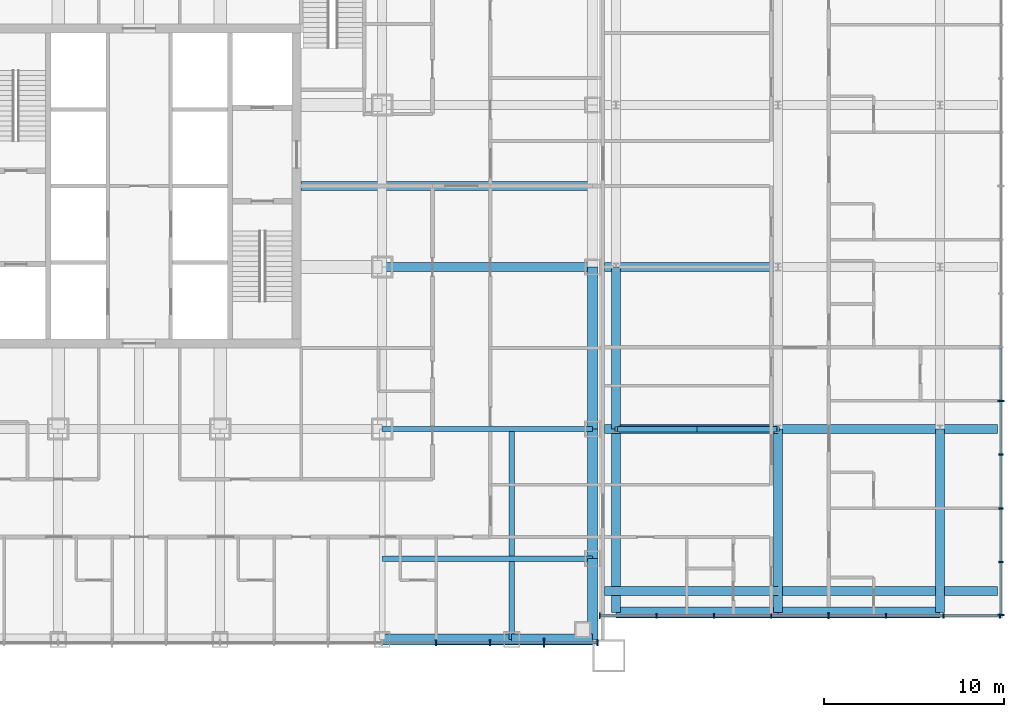
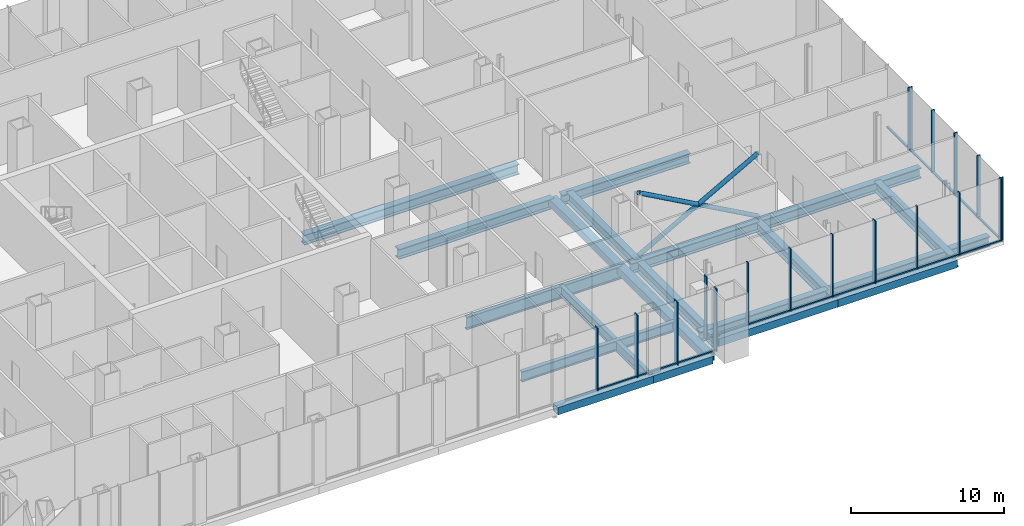
# One storey, part 10 of 28: 34 members, 21 beams, 3 elements without a shape of their own.
"""IFC4 building model written with IfcOpenShell, lengths in metres."""

from ifc_helpers import new_model, si_unit, direction, frame, origin, origin_2d, place, context, subcontext, project, spatial, rectangle, hollow_rectangle, hollow_circle, i_section, extrude, material, layer, layer_set, material_profile, profile_set, type_object, element, aggregate, save


model = new_model("IFC4")

# Units and contexts
model_context = context("Model", 3, precision=1e-05, world=origin(), true_north=direction((0.0, 1.0)))
body_context = subcontext(model_context, "Body", "Model", "MODEL_VIEW")
ifc_project = project(units=[si_unit("LENGTHUNIT", "METRE"), si_unit("AREAUNIT", "SQUARE_METRE"), si_unit("VOLUMEUNIT", "CUBIC_METRE"), si_unit("PLANEANGLEUNIT", "RADIAN"), si_unit("MASSUNIT", "GRAM", prefix="KILO")], contexts=[model_context])

# Site, building, storey
site_placement = place(None, origin())
site = spatial("IfcSite", under=ifc_project, at=site_placement, CompositionType="ELEMENT")
building_placement = place(site_placement, origin())
building = spatial("IfcBuilding", under=site, at=building_placement, Name="Malebo Sky Hospital", CompositionType="ELEMENT")
storey_placement = place(building_placement, frame((0.0, 0.0, 21.0)))
storey = spatial("IfcBuildingStorey", under=building, at=storey_placement, Name="L04", CompositionType="ELEMENT", Elevation=21.0)

# Curtain wall, members
ifc_material_1 = material(Name="Anodised aluminium, natural silver", Category="aluminium")
ifc_layer_1 = layer(ifc_material_1, 0.25)
ifc_layer_set_1 = layer_set([ifc_layer_1], Name="PODIUM ENTRANCE BAY CURTAIN WALL")
curtain_wall_type_1 = type_object("IfcCurtainWallType", Name="PODIUM ENTRANCE BAY CURTAIN WALL", PredefinedType="NOTDEFINED", material=ifc_layer_set_1)
curtain_wall_1_placement = place(storey_placement, origin())
curtain_wall_1 = element("IfcCurtainWall", 1, at=curtain_wall_1_placement, inside=storey, type_object=curtain_wall_type_1, Name="BAY curtain wall BS", PredefinedType="NOTDEFINED")
ifc_material_profile_1 = material_profile(ifc_material_1, rectangle(XDim=0.14990234375, YDim=0.10009765625, at=origin_2d()), Name="ALUMINIUM TRANSOM 150x100")
ifc_profile_set_1 = profile_set([ifc_material_profile_1], Name="Anodised aluminium, natural silver")
member_type_1 = type_object("IfcMemberType", Name="ALUMINIUM TRANSOM 150x100", PredefinedType="USERDEFINED", material=ifc_profile_set_1)
member_1_placement = place(storey_placement, frame((76.53759765625, 36.625, 0.050048828125), z_axis=(1.0, 0.0, 0.0), x_axis=(0.0, 1.0, 0.0)))
member_1 = element("IfcMember", 2, at=member_1_placement, type_object=member_type_1, Name="Transom 15", ObjectType="TRANSOM", PredefinedType="USERDEFINED", context=body_context, shape_type="SweptSolid", body=[
    extrude(rectangle(XDim=0.14990234375, YDim=0.10009765625, at=origin_2d()), origin(), (0.0, 0.0, 1.0), 2.9248046875),
])
member_2_placement = place(storey_placement, frame((79.53759765625, 36.625, 0.050048828125), z_axis=(1.0, 0.0, 0.0), x_axis=(0.0, 1.0, 0.0)))
member_2 = element("IfcMember", 3, at=member_2_placement, type_object=member_type_1, Name="Transom 16", ObjectType="TRANSOM", PredefinedType="USERDEFINED", context=body_context, shape_type="SweptSolid", body=[
    extrude(rectangle(XDim=0.14990234375, YDim=0.10009765625, at=origin_2d()), origin(), (0.0, 0.0, 1.0), 2.9248046875),
])
member_3_placement = place(storey_placement, frame((82.53759765625, 36.625, 0.050048828125), z_axis=(1.0, 0.0, 0.0), x_axis=(0.0, 1.0, 0.0)))
member_3 = element("IfcMember", 4, at=member_3_placement, type_object=member_type_1, Name="Transom 17", ObjectType="TRANSOM", PredefinedType="USERDEFINED", context=body_context, shape_type="SweptSolid", body=[
    extrude(rectangle(XDim=0.14990234375, YDim=0.10009765625, at=origin_2d()), origin(), (0.0, 0.0, 1.0), 2.887451171875),
])

ifc_layer_2 = layer(ifc_material_1, 0.25)
ifc_layer_set_2 = layer_set([ifc_layer_2], Name="PODIUM CURTAIN WALL")
curtain_wall_type_2 = type_object("IfcCurtainWallType", Name="PODIUM CURTAIN WALL", PredefinedType="NOTDEFINED", material=ifc_layer_set_2)
curtain_wall_2_placement = place(storey_placement, origin())
curtain_wall_2 = element("IfcCurtainWall", 5, at=curtain_wall_2_placement, inside=storey, type_object=curtain_wall_type_2, Name="POD curtain wall ES", PredefinedType="NOTDEFINED")
member_4_placement = place(storey_placement, frame((85.625, 38.125, 0.050048828125), z_axis=(1.0, 0.0, 0.0), x_axis=(0.0, 1.0, 0.0)))
member_4 = element("IfcMember", 6, at=member_4_placement, type_object=member_type_1, Name="Transom 1", ObjectType="TRANSOM", PredefinedType="USERDEFINED", context=body_context, shape_type="SweptSolid", body=[
    extrude(rectangle(XDim=0.14990234375, YDim=0.10009765625, at=origin_2d()), origin(), (0.0, 0.0, 1.0), 3.076904296875),
])
member_5_placement = place(storey_placement, frame((88.77685546875, 38.125, 0.050048828125), z_axis=(1.0, 0.0, 0.0), x_axis=(0.0, 1.0, 0.0)))
member_5 = element("IfcMember", 7, at=member_5_placement, type_object=member_type_1, Name="Transom 2", ObjectType="TRANSOM", PredefinedType="USERDEFINED", context=body_context, shape_type="SweptSolid", body=[
    extrude(rectangle(XDim=0.14990234375, YDim=0.10009765625, at=origin_2d()), origin(), (0.0, 0.0, 1.0), 3.1142578125),
])
member_6_placement = place(storey_placement, frame((91.966064453125, 38.125, 0.050048828125), z_axis=(1.0, 0.0, 0.0), x_axis=(0.0, 1.0, 0.0)))
member_6 = element("IfcMember", 8, at=member_6_placement, type_object=member_type_1, Name="Transom 3", ObjectType="TRANSOM", PredefinedType="USERDEFINED", context=body_context, shape_type="SweptSolid", body=[
    extrude(rectangle(XDim=0.14990234375, YDim=0.10009765625, at=origin_2d()), origin(), (0.0, 0.0, 1.0), 3.1142578125),
])
member_7_placement = place(storey_placement, frame((95.155517578125, 38.125, 0.050048828125), z_axis=(1.0, 0.0, 0.0), x_axis=(0.0, 1.0, 0.0)))
member_7 = element("IfcMember", 9, at=member_7_placement, type_object=member_type_1, Name="Transom 4", ObjectType="TRANSOM", PredefinedType="USERDEFINED", context=body_context, shape_type="SweptSolid", body=[
    extrude(rectangle(XDim=0.14990234375, YDim=0.10009765625, at=origin_2d()), origin(), (0.0, 0.0, 1.0), 3.114013671875),
])
member_8_placement = place(storey_placement, frame((98.344482421875, 38.125, 0.050048828125), z_axis=(1.0, 0.0, 0.0), x_axis=(0.0, 1.0, 0.0)))
member_8 = element("IfcMember", 10, at=member_8_placement, type_object=member_type_1, Name="Transom 5", ObjectType="TRANSOM", PredefinedType="USERDEFINED", context=body_context, shape_type="SweptSolid", body=[
    extrude(rectangle(XDim=0.14990234375, YDim=0.10009765625, at=origin_2d()), origin(), (0.0, 0.0, 1.0), 3.114501953125),
])
member_9_placement = place(storey_placement, frame((101.533935546875, 38.125, 0.050048828125), z_axis=(1.0, 0.0, 0.0), x_axis=(0.0, 1.0, 0.0)))
member_9 = element("IfcMember", 11, at=member_9_placement, type_object=member_type_1, Name="Transom 6", ObjectType="TRANSOM", PredefinedType="USERDEFINED", context=body_context, shape_type="SweptSolid", body=[
    extrude(rectangle(XDim=0.14990234375, YDim=0.10009765625, at=origin_2d()), origin(), (0.0, 0.0, 1.0), 3.1142578125),
])
member_10_placement = place(storey_placement, frame((104.72314453125, 38.125, 0.050048828125), z_axis=(1.0, 0.0, 0.0), x_axis=(0.0, 1.0, 0.0)))
member_10 = element("IfcMember", 12, at=member_10_placement, type_object=member_type_1, Name="Transom 7", ObjectType="TRANSOM", PredefinedType="USERDEFINED", context=body_context, shape_type="SweptSolid", body=[
    extrude(rectangle(XDim=0.14990234375, YDim=0.10009765625, at=origin_2d()), origin(), (0.0, 0.0, 1.0), 3.076904296875),
])

curtain_wall_3_placement = place(storey_placement, origin())
curtain_wall_3 = element("IfcCurtainWall", 13, at=curtain_wall_3_placement, inside=storey, type_object=curtain_wall_type_2, Name="POD curtain wall EE", PredefinedType="NOTDEFINED")
member_11_placement = place(storey_placement, frame((107.875, 38.199951171875, 0.050048828125), z_axis=(0.0, 1.0, 0.0), x_axis=(-1.0, 0.0, 0.0)))
member_11 = element("IfcMember", 14, at=member_11_placement, type_object=member_type_1, Name="Transom 1", ObjectType="TRANSOM", PredefinedType="USERDEFINED", context=body_context, shape_type="SweptSolid", body=[
    extrude(rectangle(XDim=0.14990234375, YDim=0.10009765625, at=origin_2d()), origin(), (0.0, 0.0, 1.0), 2.8720703125),
])
member_12_placement = place(storey_placement, frame((107.875, 41.14697265625, 0.050048828125), z_axis=(0.0, 1.0, 0.0), x_axis=(-1.0, 0.0, 0.0)))
member_12 = element("IfcMember", 15, at=member_12_placement, type_object=member_type_1, Name="Transom 2", ObjectType="TRANSOM", PredefinedType="USERDEFINED", context=body_context, shape_type="SweptSolid", body=[
    extrude(rectangle(XDim=0.14990234375, YDim=0.10009765625, at=origin_2d()), origin(), (0.0, 0.0, 1.0), 2.909423828125),
])
member_13_placement = place(storey_placement, frame((107.875, 44.13134765625, 0.050048828125), z_axis=(0.0, 1.0, 0.0), x_axis=(-1.0, 0.0, 0.0)))
member_13 = element("IfcMember", 16, at=member_13_placement, type_object=member_type_1, Name="Transom 3", ObjectType="TRANSOM", PredefinedType="USERDEFINED", context=body_context, shape_type="SweptSolid", body=[
    extrude(rectangle(XDim=0.14990234375, YDim=0.10009765625, at=origin_2d()), origin(), (0.0, 0.0, 1.0), 2.9091796875),
])
member_14_placement = place(storey_placement, frame((107.875, 47.115478515625, 0.050048828125), z_axis=(0.0, 1.0, 0.0), x_axis=(-1.0, 0.0, 0.0)))
member_14 = element("IfcMember", 17, at=member_14_placement, type_object=member_type_1, Name="Transom 4", ObjectType="TRANSOM", PredefinedType="USERDEFINED", context=body_context, shape_type="SweptSolid", body=[
    extrude(rectangle(XDim=0.14990234375, YDim=0.10009765625, at=origin_2d()), origin(), (0.0, 0.0, 1.0), 2.909423828125),
])
member_15_placement = place(storey_placement, frame((107.875, 50.10009765625, 0.050048828125), z_axis=(0.0, 1.0, 0.0), x_axis=(-1.0, 0.0, 0.0)))
member_15 = element("IfcMember", 18, at=member_15_placement, type_object=member_type_1, Name="Transom 5", ObjectType="TRANSOM", PredefinedType="USERDEFINED", context=body_context, shape_type="SweptSolid", body=[
    extrude(rectangle(XDim=0.14990234375, YDim=0.10009765625, at=origin_2d()), origin(), (0.0, 0.0, 1.0), 2.909423828125),
])

# Member
ifc_material_profile_2 = material_profile(ifc_material_1, rectangle(XDim=0.074951171875, YDim=0.25, at=origin_2d()), Name="CW3 ALUMINIUM FIN MULLION 75x250")
ifc_profile_set_2 = profile_set([ifc_material_profile_2], Name="Anodised aluminium, natural silver")
member_type_2 = type_object("IfcMemberType", Name="CW3 ALUMINIUM FIN MULLION 75x250", PredefinedType="MULLION", material=ifc_profile_set_2)
member_16_placement = place(storey_placement, frame((88.7392578125, 38.125, 0.0), z_axis=(0.0, 0.0, 1.0), x_axis=(1.0, 0.0, 0.0)))
member_16 = element("IfcMember", 19, at=member_16_placement, type_object=member_type_2, Name="Fin mullion 2", PredefinedType="MULLION", context=body_context, shape_type="SweptSolid", body=[
    extrude(rectangle(XDim=0.074951171875, YDim=0.25, at=origin_2d()), origin(), (0.0, 0.0, 1.0), 5.0),
])

member_17_placement = place(storey_placement, frame((91.9287109375, 38.125, 0.0), z_axis=(0.0, 0.0, 1.0), x_axis=(1.0, 0.0, 0.0)))
member_17 = element("IfcMember", 20, at=member_17_placement, type_object=member_type_2, Name="Fin mullion 3", PredefinedType="MULLION", context=body_context, shape_type="SweptSolid", body=[
    extrude(rectangle(XDim=0.074951171875, YDim=0.25, at=origin_2d()), origin(), (0.0, 0.0, 1.0), 5.0),
])

member_18_placement = place(storey_placement, frame((95.117919921875, 38.125, 0.0), z_axis=(0.0, 0.0, 1.0), x_axis=(1.0, 0.0, 0.0)))
member_18 = element("IfcMember", 21, at=member_18_placement, type_object=member_type_2, Name="Fin mullion 4", PredefinedType="MULLION", context=body_context, shape_type="SweptSolid", body=[
    extrude(rectangle(XDim=0.074951171875, YDim=0.25, at=origin_2d()), origin(), (0.0, 0.0, 1.0), 5.0),
])

member_19_placement = place(storey_placement, frame((101.496337890625, 38.125, 0.0), z_axis=(0.0, 0.0, 1.0), x_axis=(1.0, 0.0, 0.0)))
member_19 = element("IfcMember", 22, at=member_19_placement, type_object=member_type_2, Name="Fin mullion 6", PredefinedType="MULLION", context=body_context, shape_type="SweptSolid", body=[
    extrude(rectangle(XDim=0.074951171875, YDim=0.25, at=origin_2d()), origin(), (0.0, 0.0, 1.0), 5.0),
])

member_20_placement = place(storey_placement, frame((104.685791015625, 38.125, 0.0), z_axis=(0.0, 0.0, 1.0), x_axis=(1.0, 0.0, 0.0)))
member_20 = element("IfcMember", 23, at=member_20_placement, type_object=member_type_2, Name="Fin mullion 7", PredefinedType="MULLION", context=body_context, shape_type="SweptSolid", body=[
    extrude(rectangle(XDim=0.074951171875, YDim=0.25, at=origin_2d()), origin(), (0.0, 0.0, 1.0), 5.0),
])

member_21_placement = place(storey_placement, frame((107.83740234375, 38.125, 0.0), z_axis=(0.0, 0.0, 1.0), x_axis=(1.0, 0.0, 0.0)))
member_21 = element("IfcMember", 24, at=member_21_placement, type_object=member_type_2, Name="Fin mullion 8", PredefinedType="MULLION", context=body_context, shape_type="SweptSolid", body=[
    extrude(rectangle(XDim=0.074951171875, YDim=0.25, at=origin_2d()), origin(), (0.0, 0.0, 1.0), 5.0),
])

member_22_placement = place(storey_placement, frame((107.875, 41.109375, 0.0), z_axis=(0.0, 0.0, 1.0), x_axis=(0.0, 1.0, 0.0)))
member_22 = element("IfcMember", 25, at=member_22_placement, type_object=member_type_2, Name="Fin mullion 2", PredefinedType="MULLION", context=body_context, shape_type="SweptSolid", body=[
    extrude(rectangle(XDim=0.074951171875, YDim=0.25, at=origin_2d()), origin(), (0.0, 0.0, 1.0), 5.0),
])

member_23_placement = place(storey_placement, frame((107.875, 44.09375, 0.0), z_axis=(0.0, 0.0, 1.0), x_axis=(0.0, 1.0, 0.0)))
member_23 = element("IfcMember", 26, at=member_23_placement, type_object=member_type_2, Name="Fin mullion 3", PredefinedType="MULLION", context=body_context, shape_type="SweptSolid", body=[
    extrude(rectangle(XDim=0.074951171875, YDim=0.25, at=origin_2d()), origin(), (0.0, 0.0, 1.0), 5.0),
])

member_24_placement = place(storey_placement, frame((107.875, 47.078125, 0.0), z_axis=(0.0, 0.0, 1.0), x_axis=(0.0, 1.0, 0.0)))
member_24 = element("IfcMember", 27, at=member_24_placement, type_object=member_type_2, Name="Fin mullion 4", PredefinedType="MULLION", context=body_context, shape_type="SweptSolid", body=[
    extrude(rectangle(XDim=0.074951171875, YDim=0.25, at=origin_2d()), origin(), (0.0, 0.0, 1.0), 5.0),
])

ifc_material_profile_3 = material_profile(ifc_material_1, rectangle(XDim=0.074951171875, YDim=0.35009765625, at=origin_2d()), Name="CW3 ALUMINIUM FIN MULLION 75x350")
ifc_profile_set_3 = profile_set([ifc_material_profile_3], Name="Anodised aluminium, natural silver")
member_type_3 = type_object("IfcMemberType", Name="CW3 ALUMINIUM FIN MULLION 75x350", PredefinedType="MULLION", material=ifc_profile_set_3)
member_25_placement = place(storey_placement, frame((85.58740234375, 38.125, 0.0), z_axis=(0.0, 0.0, 1.0), x_axis=(1.0, 0.0, 0.0)))
member_25 = element("IfcMember", 28, at=member_25_placement, type_object=member_type_3, Name="Fin mullion 1", PredefinedType="MULLION", context=body_context, shape_type="SweptSolid", body=[
    extrude(rectangle(XDim=0.074951171875, YDim=0.35009765625, at=origin_2d()), origin(), (0.0, 0.0, 1.0), 5.0),
])

member_26_placement = place(storey_placement, frame((98.30712890625, 38.125, 0.0), z_axis=(0.0, 0.0, 1.0), x_axis=(1.0, 0.0, 0.0)))
member_26 = element("IfcMember", 29, at=member_26_placement, type_object=member_type_3, Name="Fin mullion 5", PredefinedType="MULLION", context=body_context, shape_type="SweptSolid", body=[
    extrude(rectangle(XDim=0.074951171875, YDim=0.35009765625, at=origin_2d()), origin(), (0.0, 0.0, 1.0), 5.0),
])

aggregate(curtain_wall_2, [member_25, member_16, member_17, member_18, member_26, member_19, member_20, member_21, member_4, member_5, member_6, member_7, member_8, member_9, member_10])

member_27_placement = place(storey_placement, frame((107.875, 38.16259765625, 0.0), z_axis=(0.0, 0.0, 1.0), x_axis=(0.0, 1.0, 0.0)))
member_27 = element("IfcMember", 30, at=member_27_placement, type_object=member_type_3, Name="Fin mullion 1", PredefinedType="MULLION", context=body_context, shape_type="SweptSolid", body=[
    extrude(rectangle(XDim=0.074951171875, YDim=0.35009765625, at=origin_2d()), origin(), (0.0, 0.0, 1.0), 5.0),
])

member_28_placement = place(storey_placement, frame((107.875, 50.0625, 0.0), z_axis=(0.0, 0.0, 1.0), x_axis=(0.0, 1.0, 0.0)))
member_28 = element("IfcMember", 31, at=member_28_placement, type_object=member_type_3, Name="Fin mullion 5", PredefinedType="MULLION", context=body_context, shape_type="SweptSolid", body=[
    extrude(rectangle(XDim=0.074951171875, YDim=0.35009765625, at=origin_2d()), origin(), (0.0, 0.0, 1.0), 5.0),
])

aggregate(curtain_wall_3, [member_27, member_22, member_23, member_24, member_28, member_11, member_12, member_13, member_14, member_15])

ifc_material_profile_4 = material_profile(ifc_material_1, rectangle(XDim=0.074951171875, YDim=0.35009765625, at=origin_2d()), Name="CW4 ALUMINIUM FIN MULLION 75x350")
ifc_profile_set_4 = profile_set([ifc_material_profile_4], Name="Anodised aluminium, natural silver")
member_type_4 = type_object("IfcMemberType", Name="CW4 ALUMINIUM FIN MULLION 75x350", PredefinedType="MULLION", material=ifc_profile_set_4)
member_29_placement = place(storey_placement, frame((76.5, 36.625, 0.0), z_axis=(0.0, 0.0, 1.0), x_axis=(1.0, 0.0, 0.0)))
member_29 = element("IfcMember", 32, at=member_29_placement, type_object=member_type_4, Name="Fin mullion 15", PredefinedType="MULLION", context=body_context, shape_type="SweptSolid", body=[
    extrude(rectangle(XDim=0.074951171875, YDim=0.35009765625, at=origin_2d()), origin(), (0.0, 0.0, 1.0), 5.0),
])

member_30_placement = place(storey_placement, frame((79.5, 36.625, 0.0), z_axis=(0.0, 0.0, 1.0), x_axis=(1.0, 0.0, 0.0)))
member_30 = element("IfcMember", 33, at=member_30_placement, type_object=member_type_4, Name="Fin mullion 16", PredefinedType="MULLION", context=body_context, shape_type="SweptSolid", body=[
    extrude(rectangle(XDim=0.074951171875, YDim=0.35009765625, at=origin_2d()), origin(), (0.0, 0.0, 1.0), 5.0),
])

member_31_placement = place(storey_placement, frame((85.46240234375, 36.625, 0.0), z_axis=(0.0, 0.0, 1.0), x_axis=(1.0, 0.0, 0.0)))
member_31 = element("IfcMember", 34, at=member_31_placement, type_object=member_type_4, Name="Fin mullion 18", PredefinedType="MULLION", context=body_context, shape_type="SweptSolid", body=[
    extrude(rectangle(XDim=0.074951171875, YDim=0.35009765625, at=origin_2d()), origin(), (0.0, 0.0, 1.0), 5.0),
])

ifc_material_profile_5 = material_profile(ifc_material_1, rectangle(XDim=0.074951171875, YDim=0.5, at=origin_2d()), Name="CW4 ALUMINIUM FIN MULLION 75x500")
ifc_profile_set_5 = profile_set([ifc_material_profile_5], Name="Anodised aluminium, natural silver")
member_type_5 = type_object("IfcMemberType", Name="CW4 ALUMINIUM FIN MULLION 75x500", PredefinedType="MULLION", material=ifc_profile_set_5)
member_32_placement = place(storey_placement, frame((82.5, 36.625, 0.0), z_axis=(0.0, 0.0, 1.0), x_axis=(1.0, 0.0, 0.0)))
member_32 = element("IfcMember", 35, at=member_32_placement, type_object=member_type_5, Name="Fin mullion 17", PredefinedType="MULLION", context=body_context, shape_type="SweptSolid", body=[
    extrude(rectangle(XDim=0.074951171875, YDim=0.5, at=origin_2d()), origin(), (0.0, 0.0, 1.0), 5.0),
])

aggregate(curtain_wall_1, [member_29, member_30, member_32, member_31, member_1, member_2, member_3])

# Beams
ifc_material_2 = material(Name="Steel S460", Category="steel")
ifc_material_profile_6 = material_profile(ifc_material_2, hollow_rectangle(XDim=0.60009765625, YDim=0.60009765625, WallThickness=0.0400390625, at=origin_2d()), Name="BOX 600x600x40")
ifc_profile_set_6 = profile_set([ifc_material_profile_6], Name="Steel S460")
beam_type_1 = type_object("IfcBeamType", Name="EDGE BEAM BOX 600x600x40", PredefinedType="BEAM", material=ifc_profile_set_6)
beam_1_placement = place(storey_placement, frame((85.199951171875, 36.800048828125, -0.60009765625), z_axis=(0.0, 1.0, 0.0), x_axis=(-1.0, 0.0, 0.0)))
element("IfcBeam", 36, at=beam_1_placement, inside=storey, type_object=beam_type_1, Name="Beam 031 L04", PredefinedType="BEAM", context=body_context, shape_type="SweptSolid", body=[
    extrude(hollow_rectangle(XDim=0.60009765625, YDim=0.60009765625, WallThickness=0.0400390625, at=origin_2d()), origin(), (0.0, 0.0, 1.0), 4.5),
])
beam_2_placement = place(storey_placement, frame((85.199951171875, 41.300048828125, -0.60009765625), z_axis=(0.0, 1.0, 0.0), x_axis=(-1.0, 0.0, 0.0)))
element("IfcBeam", 37, at=beam_2_placement, inside=storey, type_object=beam_type_1, Name="Beam 032 L04", PredefinedType="BEAM", context=body_context, shape_type="SweptSolid", body=[
    extrude(hollow_rectangle(XDim=0.60009765625, YDim=0.60009765625, WallThickness=0.0400390625, at=origin_2d()), origin(), (0.0, 0.0, 1.0), 7.199951171875),
])
beam_3_placement = place(storey_placement, frame((85.199951171875, 48.5, -0.60009765625), z_axis=(0.0, 1.0, 0.0), x_axis=(-1.0, 0.0, 0.0)))
element("IfcBeam", 38, at=beam_3_placement, inside=storey, type_object=beam_type_1, Name="Beam 033 L04", PredefinedType="BEAM", context=body_context, shape_type="SweptSolid", body=[
    extrude(hollow_rectangle(XDim=0.60009765625, YDim=0.60009765625, WallThickness=0.0400390625, at=origin_2d()), origin(), (0.0, 0.0, 1.0), 9.0),
])
beam_4_placement = place(storey_placement, frame((73.5, 36.800048828125, -0.60009765625), z_axis=(1.0, 0.0, 0.0), x_axis=(0.0, 1.0, 0.0)))
element("IfcBeam", 39, at=beam_4_placement, inside=storey, type_object=beam_type_1, Name="Beam 043 L04", PredefinedType="BEAM", context=body_context, shape_type="SweptSolid", body=[
    extrude(hollow_rectangle(XDim=0.60009765625, YDim=0.60009765625, WallThickness=0.0400390625, at=origin_2d()), origin(), (0.0, 0.0, 1.0), 7.199951171875),
])
beam_5_placement = place(storey_placement, frame((80.699951171875, 36.800048828125, -0.60009765625), z_axis=(1.0, 0.0, 0.0), x_axis=(0.0, 1.0, 0.0)))
element("IfcBeam", 40, at=beam_5_placement, inside=storey, type_object=beam_type_1, Name="Beam 044 L04", PredefinedType="BEAM", context=body_context, shape_type="SweptSolid", body=[
    extrude(hollow_rectangle(XDim=0.60009765625, YDim=0.60009765625, WallThickness=0.0400390625, at=origin_2d()), origin(), (0.0, 0.0, 1.0), 4.5),
])
for number, where, z_axis, x_axis, name in (
    (41, (86.5, 38.300048828125, -0.60009765625), (1.0, 0.0, 0.0), (0.0, 1.0, 0.0), "Beam E028 L04"),
    (42, (95.5, 38.300048828125, -0.60009765625), (1.0, 0.0, 0.0), (0.0, 1.0, 0.0), "Beam E029 L04"),
):
    element("IfcBeam", number, at=place(storey_placement, frame(where, z_axis=z_axis, x_axis=x_axis)), inside=storey, type_object=beam_type_1, Name=name, PredefinedType="BEAM", context=body_context, shape_type="SweptSolid", body=[
        extrude(hollow_rectangle(XDim=0.60009765625, YDim=0.60009765625, WallThickness=0.0400390625, at=origin_2d()), origin(), (0.0, 0.0, 1.0), 9.0),
    ])
ifc_material_3 = material(Name="Steel S355", Category="steel")
ifc_material_profile_7 = material_profile(ifc_material_3, i_section(OverallWidth=0.300048828125, OverallDepth=0.800048828125, WebThickness=0.017578125, FlangeThickness=0.032958984375, FilletRadius=0.030029296875, at=origin_2d()), Name="HEB 800")
ifc_profile_set_7 = profile_set([ifc_material_profile_7], Name="Steel S355")
beam_type_2 = type_object("IfcBeamType", Name="FLOOR BEAM HEB 800", PredefinedType="BEAM", material=ifc_profile_set_7)
for number, where, z_axis, x_axis, name in (
    (43, (80.699951171875, 36.800048828125, -0.699951171875), (0.0, 1.0, 0.0), (-1.0, 0.0, 0.0), "Beam 029 L04"),
    (44, (73.5, 41.300048828125, -0.699951171875), (1.0, 0.0, 0.0), (0.0, 1.0, 0.0), "Beam 046 L04"),
):
    element("IfcBeam", number, at=place(storey_placement, frame(where, z_axis=z_axis, x_axis=x_axis)), inside=storey, type_object=beam_type_2, Name=name, PredefinedType="BEAM", context=body_context, shape_type="SweptSolid", body=[
        extrude(i_section(OverallWidth=0.300048828125, OverallDepth=0.800048828125, WebThickness=0.017578125, FlangeThickness=0.032958984375, FilletRadius=0.030029296875, at=origin_2d()), origin(), (0.0, 0.0, 1.0), 11.699951171875),
    ])
ifc_material_profile_8 = material_profile(ifc_material_3, i_section(OverallWidth=0.5, OverallDepth=0.800048828125, WebThickness=0.030029296875, FlangeThickness=0.050048828125, at=origin_2d()), Name="PG 800x500x30x50")
ifc_profile_set_8 = profile_set([ifc_material_profile_8], Name="Steel S355")
beam_type_3 = type_object("IfcBeamType", Name="FLOOR BEAM PG 800x500x30x50", PredefinedType="BEAM", material=ifc_profile_set_8)
beam_6_placement = place(storey_placement, frame((73.5, 57.5, -0.699951171875), z_axis=(1.0, 0.0, 0.0), x_axis=(0.0, 1.0, 0.0)))
element("IfcBeam", 45, at=beam_6_placement, inside=storey, type_object=beam_type_3, Name="Beam 055 L04", PredefinedType="BEAM", context=body_context, shape_type="SweptSolid", body=[
    extrude(i_section(OverallWidth=0.5, OverallDepth=0.800048828125, WebThickness=0.030029296875, FlangeThickness=0.050048828125, at=origin_2d()), origin(), (0.0, 0.0, 1.0), 11.699951171875),
])
beam_7_placement = place(storey_placement, frame((69.0, 62.0, -0.699951171875), z_axis=(1.0, 0.0, 0.0), x_axis=(0.0, 1.0, 0.0)))
element("IfcBeam", 46, at=beam_7_placement, inside=storey, type_object=beam_type_3, Name="Beam 057 L04", PredefinedType="BEAM", context=body_context, shape_type="SweptSolid", body=[
    extrude(i_section(OverallWidth=0.5, OverallDepth=0.800048828125, WebThickness=0.030029296875, FlangeThickness=0.050048828125, at=origin_2d()), origin(), (0.0, 0.0, 1.0), 16.199951171875),
])
beam_8_placement = place(storey_placement, frame((86.5, 38.300048828125, -0.699951171875), z_axis=(0.0, 1.0, 0.0), x_axis=(-1.0, 0.0, 0.0)))
element("IfcBeam", 47, at=beam_8_placement, inside=storey, type_object=beam_type_3, Name="Beam E001 L04", PredefinedType="BEAM", context=body_context, shape_type="SweptSolid", body=[
    extrude(i_section(OverallWidth=0.5, OverallDepth=0.800048828125, WebThickness=0.030029296875, FlangeThickness=0.050048828125, at=origin_2d()), origin(), (0.0, 0.0, 1.0), 10.199951171875),
])
beam_9_placement = place(storey_placement, frame((86.5, 48.5, -0.699951171875), z_axis=(0.0, 1.0, 0.0), x_axis=(-1.0, 0.0, 0.0)))
element("IfcBeam", 48, at=beam_9_placement, inside=storey, type_object=beam_type_3, Name="Beam E002 L04", PredefinedType="BEAM", context=body_context, shape_type="SweptSolid", body=[
    extrude(i_section(OverallWidth=0.5, OverallDepth=0.800048828125, WebThickness=0.030029296875, FlangeThickness=0.050048828125, at=origin_2d()), origin(), (0.0, 0.0, 1.0), 9.0),
])
for number, where, z_axis, x_axis, name in (
    (49, (95.5, 38.300048828125, -0.699951171875), (0.0, 1.0, 0.0), (-1.0, 0.0, 0.0), "Beam E006 L04"),
    (50, (104.5, 38.300048828125, -0.699951171875), (0.0, 1.0, 0.0), (-1.0, 0.0, 0.0), "Beam E011 L04"),
):
    element("IfcBeam", number, at=place(storey_placement, frame(where, z_axis=z_axis, x_axis=x_axis)), inside=storey, type_object=beam_type_3, Name=name, PredefinedType="BEAM", context=body_context, shape_type="SweptSolid", body=[
        extrude(i_section(OverallWidth=0.5, OverallDepth=0.800048828125, WebThickness=0.030029296875, FlangeThickness=0.050048828125, at=origin_2d()), origin(), (0.0, 0.0, 1.0), 10.199951171875),
    ])
beam_10_placement = place(storey_placement, frame((85.85009765625, 39.5, -0.699951171875), z_axis=(1.0, 0.0, 0.0), x_axis=(0.0, 1.0, 0.0)))
element("IfcBeam", 51, at=beam_10_placement, inside=storey, type_object=beam_type_3, Name="Beam E016 L04", PredefinedType="BEAM", context=body_context, shape_type="SweptSolid", body=[
    extrude(i_section(OverallWidth=0.5, OverallDepth=0.800048828125, WebThickness=0.030029296875, FlangeThickness=0.050048828125, at=origin_2d()), origin(), (0.0, 0.0, 1.0), 9.64990234375),
])
beam_11_placement = place(storey_placement, frame((95.5, 39.5, -0.699951171875), z_axis=(1.0, 0.0, 0.0), x_axis=(0.0, 1.0, 0.0)))
element("IfcBeam", 52, at=beam_11_placement, inside=storey, type_object=beam_type_3, Name="Beam E017 L04", PredefinedType="BEAM", context=body_context, shape_type="SweptSolid", body=[
    extrude(i_section(OverallWidth=0.5, OverallDepth=0.800048828125, WebThickness=0.030029296875, FlangeThickness=0.050048828125, at=origin_2d()), origin(), (0.0, 0.0, 1.0), 12.199951171875),
])
beam_12_placement = place(storey_placement, frame((85.85009765625, 48.5, -0.699951171875), z_axis=(1.0, 0.0, 0.0), x_axis=(0.0, 1.0, 0.0)))
element("IfcBeam", 53, at=beam_12_placement, inside=storey, type_object=beam_type_3, Name="Beam E018 L04", PredefinedType="BEAM", context=body_context, shape_type="SweptSolid", body=[
    extrude(i_section(OverallWidth=0.5, OverallDepth=0.800048828125, WebThickness=0.030029296875, FlangeThickness=0.050048828125, at=origin_2d()), origin(), (0.0, 0.0, 1.0), 9.64990234375),
])
beam_13_placement = place(storey_placement, frame((95.5, 48.5, -0.699951171875), z_axis=(1.0, 0.0, 0.0), x_axis=(0.0, 1.0, 0.0)))
element("IfcBeam", 54, at=beam_13_placement, inside=storey, type_object=beam_type_3, Name="Beam E019 L04", PredefinedType="BEAM", context=body_context, shape_type="SweptSolid", body=[
    extrude(i_section(OverallWidth=0.5, OverallDepth=0.800048828125, WebThickness=0.030029296875, FlangeThickness=0.050048828125, at=origin_2d()), origin(), (0.0, 0.0, 1.0), 12.199951171875),
])
beam_14_placement = place(storey_placement, frame((85.85009765625, 57.5, -0.699951171875), z_axis=(1.0, 0.0, 0.0), x_axis=(0.0, 1.0, 0.0)))
element("IfcBeam", 55, at=beam_14_placement, inside=storey, type_object=beam_type_3, Name="Beam E020 L04", PredefinedType="BEAM", context=body_context, shape_type="SweptSolid", body=[
    extrude(i_section(OverallWidth=0.5, OverallDepth=0.800048828125, WebThickness=0.030029296875, FlangeThickness=0.050048828125, at=origin_2d()), origin(), (0.0, 0.0, 1.0), 9.64990234375),
])
ifc_material_profile_9 = material_profile(ifc_material_3, i_section(OverallWidth=0.300048828125, OverallDepth=1.0, WebThickness=0.01904296875, FlangeThickness=0.035888671875, FilletRadius=0.030029296875, at=origin_2d()), Name="HEB 1000")
ifc_profile_set_9 = profile_set([ifc_material_profile_9], Name="Steel S355")
beam_type_4 = type_object("IfcBeamType", Name="FLOOR GIRDER HEB 1000", PredefinedType="BEAM", material=ifc_profile_set_9)
beam_15_placement = place(storey_placement, frame((73.5, 48.5, -0.800048828125), z_axis=(1.0, 0.0, 0.0), x_axis=(0.0, 1.0, 0.0)))
element("IfcBeam", 56, at=beam_15_placement, inside=storey, type_object=beam_type_4, Name="Beam 051 L04", PredefinedType="BEAM", context=body_context, shape_type="SweptSolid", body=[
    extrude(i_section(OverallWidth=0.300048828125, OverallDepth=1.0, WebThickness=0.01904296875, FlangeThickness=0.035888671875, FilletRadius=0.030029296875, at=origin_2d()), origin(), (0.0, 0.0, 1.0), 11.699951171875),
])

# Members
ifc_material_profile_10 = material_profile(ifc_material_2, hollow_circle(Radius=0.161865234375, WallThickness=0.012451171875, at=origin_2d()), Name="CHS 323.9x12.5")
ifc_profile_set_10 = profile_set([ifc_material_profile_10], Name="Steel S460")
member_type_6 = type_object("IfcMemberType", Name="WING BRACE CHS 323.9x12.5", PredefinedType="BRACE", material=ifc_profile_set_10)
for number, where, z_axis, x_axis, name in (
    (57, (86.5, 48.5, 0.0), (0.874157276122, 0.0, 0.485642931179), (0.0, 1.0, 0.0), "Wing brace E2.1 L04"),
    (58, (95.5, 48.5, 0.0), (-0.874157276122, 0.0, 0.485642931179), (0.0, -1.0, 0.0), "Wing brace E2.2 L04"),
):
    element("IfcMember", number, at=place(storey_placement, frame(where, z_axis=z_axis, x_axis=x_axis)), inside=storey, type_object=member_type_6, Name=name, PredefinedType="BRACE", context=body_context, shape_type="SweptSolid", body=[
        extrude(hollow_circle(Radius=0.161865234375, WallThickness=0.012451171875, at=origin_2d()), origin(), (0.0, 0.0, 1.0), 10.295654296875),
    ])

save(model, "model.ifc")
